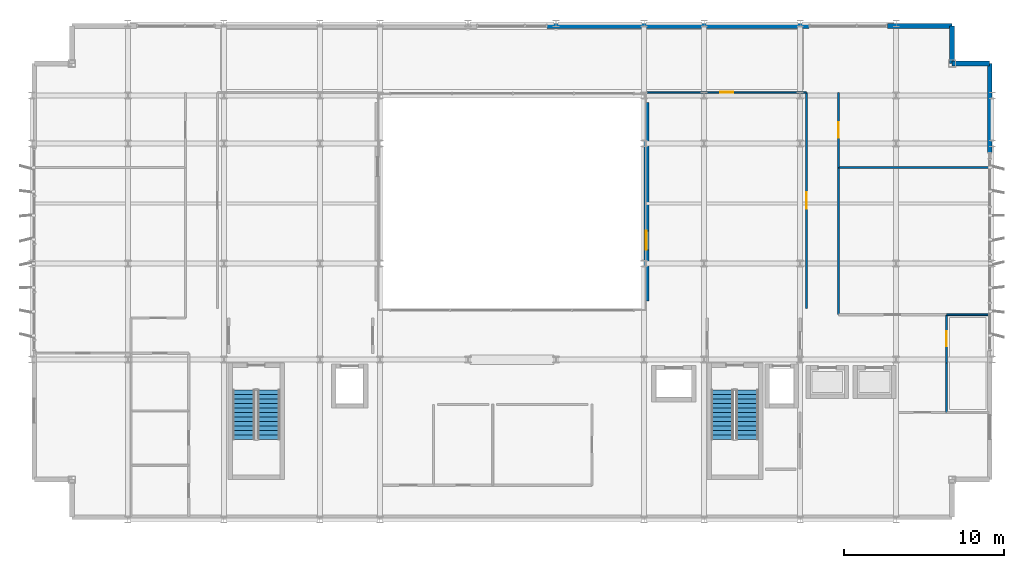
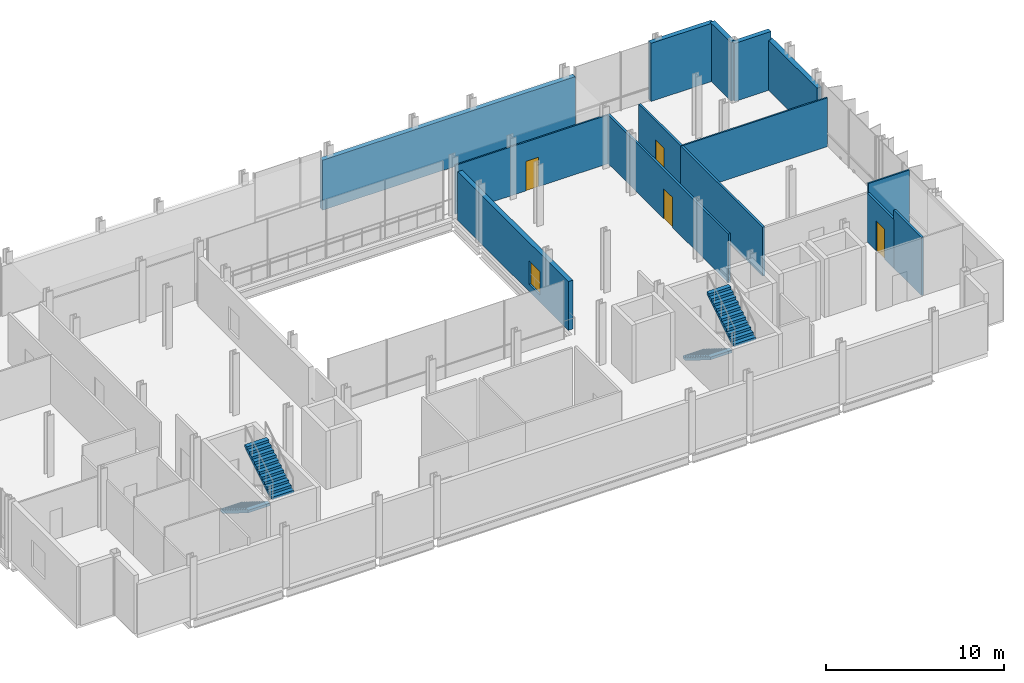
# One storey, part 26 of 32: 14 walls, 4 doors, 4 stair flights, 1 window, 5 openings, 2 elements without a shape of their own.
"""IFC4 building model written with IfcOpenShell, lengths in metres."""

from ifc_helpers import new_model, si_unit, direction, frame, frame_2d, origin, place, context, subcontext, project, spatial, polyline, rectangle, outline, extrude, material, layer, layer_set, type_object, element, fill, aggregate, save


model = new_model("IFC4")

# Units and contexts
model_context = context("Model", 3, precision=1e-05, world=origin(), true_north=direction((0.0, 1.0)))
body_context = subcontext(model_context, "Body", "Model", "MODEL_VIEW")
ifc_project = project(units=[si_unit("LENGTHUNIT", "METRE"), si_unit("AREAUNIT", "SQUARE_METRE"), si_unit("VOLUMEUNIT", "CUBIC_METRE"), si_unit("PLANEANGLEUNIT", "RADIAN"), si_unit("MASSUNIT", "GRAM", prefix="KILO")], contexts=[model_context])

# Site, building, storey
site_placement = place(None, origin())
site = spatial("IfcSite", under=ifc_project, at=site_placement, CompositionType="ELEMENT")
building_placement = place(site_placement, origin())
building = spatial("IfcBuilding", under=site, at=building_placement, Name="Brevholm Reach", CompositionType="ELEMENT")
storey_placement = place(building_placement, frame((0.0, 0.0, 134.5)))
storey = spatial("IfcBuildingStorey", under=building, at=storey_placement, Name="L40", CompositionType="ELEMENT", Elevation=134.5)

# Walls
ifc_material_1 = material(Name="Concrete C40/50", Category="concrete")
ifc_layer_1 = layer(ifc_material_1, 0.300048828125)
ifc_layer_set_1 = layer_set([ifc_layer_1], Name="Concrete C40/50")
wall_type_1 = type_object("IfcWallType", Name="WAL-EXT-300", PredefinedType="STANDARD", material=ifc_layer_set_1)
for number, where, z_axis, x_axis, name in (
    (1, (59.85009765625, 28.5, 0.0), (0.0, 0.0, 1.0), (-1.0, 0.0, 0.0), "L40 Facade Wall WAL-L40-CNE1"),
    (2, (57.5, 28.5, 0.0), (0.0, 0.0, 1.0), (0.0, 1.0, 0.0), "L40 Facade Wall WAL-L40-CNE2"),
):
    element("IfcWall", number, at=place(storey_placement, frame(where, z_axis=z_axis, x_axis=x_axis)), inside=storey, type_object=wall_type_1, Name=name, PredefinedType="STANDARD", context=body_context, shape_type="SweptSolid", body=[
        extrude(rectangle(XDim=2.35009765625, YDim=0.300048828125, at=frame_2d((1.175048828125, 0.0))), origin(), (0.0, 0.0, 1.0), 3.97998046875),
    ])
wall_1_placement = place(storey_placement, frame((59.85009765625, 22.949951171875, 0.0), z_axis=(0.0, 0.0, 1.0), x_axis=(0.0, 1.0, 0.0)))
element("IfcWall", 3, at=wall_1_placement, inside=storey, type_object=wall_type_1, Name="L40 Facade Wall WAL-L40-E-N", PredefinedType="STANDARD", context=body_context, shape_type="SweptSolid", body=[
    extrude(rectangle(XDim=5.550048828125, YDim=0.300048828125, at=frame_2d((2.77490234375, 0.0))), origin(), (0.0, 0.0, 1.0), 3.421875),
])
wall_2_placement = place(storey_placement, frame((53.449951171875, 30.85009765625, 0.0), z_axis=(0.0, 0.0, 1.0), x_axis=(1.0, 0.0, 0.0)))
element("IfcWall", 4, at=wall_2_placement, inside=storey, type_object=wall_type_1, Name="L40 Facade Wall WAL-L40-NP-E0", PredefinedType="STANDARD", context=body_context, shape_type="SweptSolid", body=[
    extrude(rectangle(XDim=4.050048828125, YDim=0.300048828125, at=frame_2d((2.02490234375, 0.0))), origin(), (0.0, 0.0, 1.0), 3.97998046875),
])
wall_3_placement = place(storey_placement, frame((32.199951171875, 30.85009765625, 0.0), z_axis=(0.0, 0.0, 1.0), x_axis=(1.0, 0.0, 0.0)))
element("IfcWall", 5, at=wall_3_placement, inside=storey, type_object=wall_type_1, Name="L40 Facade Wall WAL-L40-NP-ER", PredefinedType="STANDARD", context=body_context, shape_type="SweptSolid", body=[
    extrude(rectangle(XDim=16.35009765625, YDim=0.300048828125, at=frame_2d((8.175048828125, 0.0))), origin(), (0.0, 0.0, 1.0), 3.421875),
])

# Wall, opening, window
wall_4_placement = place(storey_placement, frame((38.39990234375, 13.64990234375, 0.0), z_axis=(0.0, 0.0, 1.0), x_axis=(0.0, 1.0, 0.0)))
wall_4 = element("IfcWall", 6, at=wall_4_placement, inside=storey, type_object=wall_type_1, Name="L40 Facade Wall WAL-L40-AT-E", PredefinedType="STANDARD", context=body_context, shape_type="SweptSolid", body=[
    extrude(rectangle(XDim=12.400146484375, YDim=0.300048828125, at=frame_2d((6.2001953125, 0.0))), origin(), (0.0, 0.0, 1.0), 3.3427734375),
])
opening_1_placement = place(wall_4_placement, frame((3.199951171875, 0.0, 0.5)))
opening_1 = element("IfcOpeningElement", 7, at=opening_1_placement, cuts=wall_4, Name="Opening WN-08", PredefinedType="OPENING", context=body_context, shape_type="SweptSolid", body=[
    extrude(rectangle(XDim=1.199951171875, YDim=1.60009765625, at=frame_2d((0.60009765625, 0.800048828125))), frame((0.0, 0.159912109375, 0.0), z_axis=(0.0, -1.0, 0.0), x_axis=(1.0, 0.0, 0.0)), (0.0, 0.0, 1.0), 0.320068359375),
])
ifc_material_2 = material(Name="Dark Anodised Aluminium and Solar-Control IGU Glass", Category="aluminium")
window_type = type_object("IfcWindowType", Name="WIN-RES-1200", PartitioningType="SINGLE_PANEL", PredefinedType="WINDOW", material=ifc_material_2)
window_placement = place(opening_1_placement, origin())
window = element("IfcWindow", 8, at=window_placement, inside=storey, type_object=window_type, Name="L40 Window WIN-L40-AT-E1", OverallHeight=1.60009765625, OverallWidth=1.199951171875, PartitioningType="SINGLE_PANEL", PredefinedType="WINDOW", context=body_context, shape_type="SweptSolid", body=[
    extrude(rectangle(XDim=1.199951171875, YDim=1.60009765625, at=frame_2d((0.60009765625, 0.800048828125))), frame((0.0, 0.030029296875, 0.0), z_axis=(0.0, -1.0, 0.0), x_axis=(1.0, 0.0, 0.0)), (0.0, 0.0, 1.0), 0.06005859375),
])
fill(opening_1, window)

# Wall
ifc_material_3 = material(Name="Moisture-Resistant Acoustic Gypsum Stud Partition 100 mm", Category="gypsum")
ifc_layer_2 = layer(ifc_material_3, 0.10009765625)
ifc_layer_set_2 = layer_set([ifc_layer_2], Name="Moisture-Resistant Acoustic Gypsum Stud Partition 100 mm")
wall_type_2 = type_object("IfcWallType", Name="WAL-PRT-100", PredefinedType="PARTITIONING", material=ifc_layer_set_2)
wall_5_placement = place(storey_placement, frame((57.14990234375, 12.800048828125, 0.0), z_axis=(0.0, 0.0, 1.0), x_axis=(1.0, 0.0, 0.0)))
element("IfcWall", 9, at=wall_5_placement, inside=storey, type_object=wall_type_2, Name="L40 Internal Partition 009", PredefinedType="PARTITIONING", context=body_context, shape_type="SweptSolid", body=[
    extrude(rectangle(XDim=2.650146484375, YDim=0.10009765625, at=frame_2d((1.3251953125, 0.0))), origin(), (0.0, 0.0, 1.0), 3.97998046875),
])

# Wall, opening, door
wall_6_placement = place(storey_placement, frame((38.438720703125, 26.699951171875, 0.0), z_axis=(0.0, 0.0, 1.0), x_axis=(1.0, 0.0, 0.0)))
wall_6 = element("IfcWall", 10, at=wall_6_placement, inside=storey, type_object=wall_type_2, Name="L40 Internal Partition 037", PredefinedType="PARTITIONING", context=body_context, shape_type="SweptSolid", body=[
    extrude(rectangle(XDim=9.957275390625, YDim=0.10009765625, at=frame_2d((4.978515625, 0.0))), origin(), (0.0, 0.0, 1.0), 3.3427734375),
])
opening_2_placement = place(wall_6_placement, frame((4.568603515625, 0.0, 0.0)))
opening_2 = element("IfcOpeningElement", 11, at=opening_2_placement, cuts=wall_6, Name="Opening ID-03", PredefinedType="OPENING", context=body_context, shape_type="SweptSolid", body=[
    extrude(rectangle(XDim=0.820068359375, YDim=2.02001953125, at=frame_2d((0.41015625, 1.010009765625))), frame((0.0, 0.06005859375, 0.0), z_axis=(0.0, -1.0, 0.0), x_axis=(1.0, 0.0, 0.0)), (0.0, 0.0, 1.0), 0.1201171875),
])
ifc_material_4 = material(Name="Moisture-Resistant Painted Timber Internal Bathroom Door", Category="wood")
door_type_1 = type_object("IfcDoorType", Name="DOR-BATH-820", OperationType="NOTDEFINED", PredefinedType="DOOR", material=ifc_material_4)
door_1_placement = place(opening_2_placement, origin())
door_1 = element("IfcDoor", 12, at=door_1_placement, inside=storey, type_object=door_type_1, Name="L40 Access Door 020", OperationType="SINGLE_SWING_RIGHT", OverallHeight=2.02001953125, OverallWidth=0.820068359375, PredefinedType="DOOR", context=body_context, shape_type="SweptSolid", body=[
    extrude(rectangle(XDim=0.820068359375, YDim=2.02001953125, at=frame_2d((0.41015625, 1.010009765625))), frame((0.0, 0.02490234375, 0.0), z_axis=(0.0, -1.0, 0.0), x_axis=(1.0, 0.0, 0.0)), (0.0, 0.0, 1.0), 0.050048828125),
])
fill(opening_2, door_1)

# Wall
wall_7_placement = place(storey_placement, frame((50.404052734375, 22.0, 0.0), z_axis=(0.0, 0.0, 1.0), x_axis=(1.0, 0.0, 0.0)))
element("IfcWall", 13, at=wall_7_placement, inside=storey, type_object=wall_type_2, Name="L40 Internal Partition 038", PredefinedType="PARTITIONING", context=body_context, shape_type="SweptSolid", body=[
    extrude(rectangle(XDim=9.39599609375, YDim=0.10009765625, at=frame_2d((4.697998046875, 0.0))), origin(), (0.0, 0.0, 1.0), 3.3427734375),
])

# Wall, opening, door
ifc_material_5 = material(Name="Twin-Stud Acoustic Fire-Rated Gypsum Partition 140 mm", Category="gypsum")
ifc_layer_3 = layer(ifc_material_5, 0.139892578125)
ifc_layer_set_3 = layer_set([ifc_layer_3], Name="Twin-Stud Acoustic Fire-Rated Gypsum Partition 140 mm")
wall_type_3 = type_object("IfcWallType", Name="WAL-PRT-140", PredefinedType="PARTITIONING", material=ifc_layer_set_3)
wall_8_placement = place(storey_placement, frame((57.14990234375, 9.788818359375, 0.0), z_axis=(0.0, 0.0, 1.0), x_axis=(0.0, 1.0, 0.0)))
wall_8 = element("IfcWall", 14, at=wall_8_placement, inside=storey, type_object=wall_type_3, Name="L40 Internal Partition 008", PredefinedType="PARTITIONING", context=body_context, shape_type="SweptSolid", body=[
    extrude(rectangle(XDim=3.01123046875, YDim=0.139892578125, at=frame_2d((1.505615234375, 0.0))), origin(), (0.0, 0.0, 1.0), 3.3427734375),
])
opening_3_placement = place(wall_8_placement, frame((1.03076171875, 0.0, 0.0)))
opening_3 = element("IfcOpeningElement", 15, at=opening_3_placement, cuts=wall_8, Name="Opening ID-30", PredefinedType="OPENING", context=body_context, shape_type="SweptSolid", body=[
    extrude(rectangle(XDim=0.949951171875, YDim=2.050048828125, at=frame_2d((0.47509765625, 1.02490234375))), frame((0.0, 0.079833984375, 0.0), z_axis=(0.0, -1.0, 0.0), x_axis=(1.0, 0.0, 0.0)), (0.0, 0.0, 1.0), 0.159912109375),
])
ifc_material_6 = material(Name="European Oak Veneered Solid-Core Fire Entrance Door", Category="timber")
door_type_2 = type_object("IfcDoorType", Name="DOR-FLT-FD30S", OperationType="NOTDEFINED", PredefinedType="DOOR", material=ifc_material_6)
door_2_placement = place(opening_3_placement, origin())
door_2 = element("IfcDoor", 16, at=door_2_placement, inside=storey, type_object=door_type_2, Name="L40 Internal Door 004", OperationType="SINGLE_SWING_RIGHT", OverallHeight=2.050048828125, OverallWidth=0.949951171875, PredefinedType="DOOR", context=body_context, shape_type="SweptSolid", body=[
    extrude(rectangle(XDim=0.949951171875, YDim=2.050048828125, at=frame_2d((0.47509765625, 1.02490234375))), frame((0.0, 0.02490234375, 0.0), z_axis=(0.0, -1.0, 0.0), x_axis=(1.0, 0.0, 0.0)), (0.0, 0.0, 1.0), 0.050048828125),
])
fill(opening_3, door_2)

# Wall
wall_9_placement = place(storey_placement, frame((57.14990234375, 6.699951171875, 0.0), z_axis=(0.0, 0.0, 1.0), x_axis=(0.0, 1.0, 0.0)))
element("IfcWall", 17, at=wall_9_placement, inside=storey, type_object=wall_type_3, Name="L40 Internal Partition 010", PredefinedType="PARTITIONING", context=body_context, shape_type="SweptSolid", body=[
    extrude(rectangle(XDim=3.107421875, YDim=0.139892578125, at=frame_2d((1.5537109375, 0.0))), origin(), (0.0, 0.0, 1.0), 3.97998046875),
])

# Wall, opening, door
wall_10_placement = place(storey_placement, frame((48.39990234375, 13.188720703125, 0.0), z_axis=(0.0, 0.0, 1.0), x_axis=(0.0, 1.0, 0.0)))
wall_10 = element("IfcWall", 18, at=wall_10_placement, inside=storey, type_object=wall_type_3, Name="L40 Internal Partition 023", PredefinedType="PARTITIONING", context=body_context, shape_type="SweptSolid", body=[
    extrude(rectangle(XDim=13.51123046875, YDim=0.139892578125, at=frame_2d((6.755615234375, 0.0))), origin(), (0.0, 0.0, 1.0), 3.3427734375),
])
opening_4_placement = place(wall_10_placement, frame((6.230712890625, 0.0, 0.0)))
opening_4 = element("IfcOpeningElement", 19, at=opening_4_placement, cuts=wall_10, Name="Opening FD-01", PredefinedType="OPENING", context=body_context, shape_type="SweptSolid", body=[
    extrude(rectangle(XDim=1.050048828125, YDim=2.06005859375, at=frame_2d((0.52490234375, 1.030029296875))), frame((0.0, 0.079833984375, 0.0), z_axis=(0.0, -1.0, 0.0), x_axis=(1.0, 0.0, 0.0)), (0.0, 0.0, 1.0), 0.159912109375),
])
ifc_material_7 = material(Name="Hardwood-Lipped Steel-Core Fire and Smoke Door", Category="steel")
door_type_3 = type_object("IfcDoorType", Name="DOR-INT-FD60S", OperationType="NOTDEFINED", PredefinedType="DOOR", material=ifc_material_7)
door_3_placement = place(opening_4_placement, origin())
door_3 = element("IfcDoor", 20, at=door_3_placement, inside=storey, type_object=door_type_3, Name="L40 Internal Door 014", OperationType="SINGLE_SWING_RIGHT", OverallHeight=2.06005859375, OverallWidth=1.050048828125, PredefinedType="DOOR", context=body_context, shape_type="SweptSolid", body=[
    extrude(rectangle(XDim=1.050048828125, YDim=2.06005859375, at=frame_2d((0.52490234375, 1.030029296875))), frame((0.0, 0.02490234375, 0.0), z_axis=(0.0, -1.0, 0.0), x_axis=(1.0, 0.0, 0.0)), (0.0, 0.0, 1.0), 0.050048828125),
])
fill(opening_4, door_3)

# Wall
wall_11_placement = place(storey_placement, frame((50.39990234375, 12.803955078125, 0.0), z_axis=(0.0, 0.0, 1.0), x_axis=(0.0, 1.0, 0.0)))
element("IfcWall", 21, at=wall_11_placement, inside=storey, type_object=wall_type_3, Name="L40 Internal Partition 024", PredefinedType="PARTITIONING", context=body_context, shape_type="SweptSolid", body=[
    extrude(rectangle(XDim=9.207275390625, YDim=0.139892578125, at=frame_2d((4.603515625, 0.0))), origin(), (0.0, 0.0, 1.0), 3.3427734375),
])

# Wall, opening, door
wall_12_placement = place(storey_placement, frame((50.39990234375, 21.99267578125, 0.0), z_axis=(0.0, 0.0, 1.0), x_axis=(0.0, 1.0, 0.0)))
wall_12 = element("IfcWall", 22, at=wall_12_placement, inside=storey, type_object=wall_type_3, Name="L40 Internal Partition 025", PredefinedType="PARTITIONING", context=body_context, shape_type="SweptSolid", body=[
    extrude(rectangle(XDim=4.707275390625, YDim=0.139892578125, at=frame_2d((2.353515625, 0.0))), origin(), (0.0, 0.0, 1.0), 3.3427734375),
])
opening_5_placement = place(wall_12_placement, frame((1.878662109375, 0.0, 0.0)))
opening_5 = element("IfcOpeningElement", 23, at=opening_5_placement, cuts=wall_12, Name="Opening ID-30", PredefinedType="OPENING", context=body_context, shape_type="SweptSolid", body=[
    extrude(rectangle(XDim=0.949951171875, YDim=2.050048828125, at=frame_2d((0.47509765625, 1.02490234375))), frame((0.0, 0.079833984375, 0.0), z_axis=(0.0, -1.0, 0.0), x_axis=(1.0, 0.0, 0.0)), (0.0, 0.0, 1.0), 0.159912109375),
])
door_4_placement = place(opening_5_placement, origin())
door_4 = element("IfcDoor", 24, at=door_4_placement, inside=storey, type_object=door_type_2, Name="L40 Internal Door 015", OperationType="SINGLE_SWING_LEFT", OverallHeight=2.050048828125, OverallWidth=0.949951171875, PredefinedType="DOOR", context=body_context, shape_type="SweptSolid", body=[
    extrude(rectangle(XDim=0.949951171875, YDim=2.050048828125, at=frame_2d((0.47509765625, 1.02490234375))), frame((0.0, 0.02490234375, 0.0), z_axis=(0.0, -1.0, 0.0), x_axis=(1.0, 0.0, 0.0)), (0.0, 0.0, 1.0), 0.050048828125),
])
fill(opening_5, door_4)

# Stair, stair flights
ifc_material_8 = material(Name="Precast Concrete C40/50", Category="concrete")
stair_type = type_object("IfcStairType", Name="STR-ESC-1400", PredefinedType="DOUBLE_RETURN_STAIR", material=ifc_material_8)
stair_1_placement = place(storey_placement, origin())
stair_1 = element("IfcStair", 25, at=stair_1_placement, inside=storey, type_object=stair_type, Name="L40 ST-1", PredefinedType="DOUBLE_RETURN_STAIR")
ifc_material_9 = material(Name="Precast Concrete C40/50", Category="concrete")
ifc_layer_4 = layer(ifc_material_9, 0.18505859375)
ifc_layer_set_4 = layer_set([ifc_layer_4], Name="Precast Concrete C40/50")
stair_flight_type = type_object("IfcStairFlightType", Name="STF-PRC-185", PredefinedType="STRAIGHT", material=ifc_layer_set_4)
stair_flight_1_placement = place(storey_placement, frame((13.25, 8.10009765625, 0.0), z_axis=(0.0, 0.0, 1.0), x_axis=(0.0, -1.0, 0.0)))
stair_flight_1 = element("IfcStairFlight", 26, at=stair_flight_1_placement, type_object=stair_flight_type, Name="ST-1 flight 1", NumberOfRisers=12, NumberOfTreads=11, PredefinedType="STRAIGHT", RiserHeight=0.175, TreadLength=0.28, context=body_context, shape_type="SweptSolid", body=[
    extrude(outline(polyline([(0.0, 0.0), (0.0, 0.175048828125), (0.280029296875, 0.175048828125), (0.280029296875, 0.35009765625), (0.56005859375, 0.35009765625), (0.56005859375, 0.52490234375), (0.840087890625, 0.52490234375), (0.840087890625, 0.699951171875), (1.1201171875, 0.699951171875), (1.1201171875, 0.875), (1.39990234375, 0.875), (1.39990234375, 1.050048828125), (1.679931640625, 1.050048828125), (1.679931640625, 1.22509765625), (1.9599609375, 1.22509765625), (1.9599609375, 1.39990234375), (2.239990234375, 1.39990234375), (2.239990234375, 1.574951171875), (2.52001953125, 1.574951171875), (2.52001953125, 1.75), (2.800048828125, 1.75), (2.800048828125, 1.925048828125), (3.080078125, 1.925048828125), (3.080078125, 2.10009765625), (3.080078125, 1.748291015625), (0.28271484375, 0.0), (0.0, 0.0)])), frame((0.0, 0.699951171875, 0.0), z_axis=(0.0, -1.0, 0.0), x_axis=(1.0, 0.0, 0.0)), (0.0, 0.0, 1.0), 1.39990234375),
])
stair_flight_2_placement = place(storey_placement, frame((14.800048828125, 5.02001953125, 2.10009765625), z_axis=(0.0, 0.0, 1.0), x_axis=(0.0, 1.0, 0.0)))
stair_flight_2 = element("IfcStairFlight", 27, at=stair_flight_2_placement, type_object=stair_flight_type, Name="ST-1 flight 2", NumberOfRisers=12, NumberOfTreads=11, PredefinedType="STRAIGHT", RiserHeight=0.175, TreadLength=0.28, context=body_context, shape_type="SweptSolid", body=[
    extrude(outline(polyline([(0.0, 0.0), (0.0, 0.175048828125), (0.280029296875, 0.175048828125), (0.280029296875, 0.35009765625), (0.56005859375, 0.35009765625), (0.56005859375, 0.52490234375), (0.840087890625, 0.52490234375), (0.840087890625, 0.699951171875), (1.1201171875, 0.699951171875), (1.1201171875, 0.875), (1.39990234375, 0.875), (1.39990234375, 1.050048828125), (1.679931640625, 1.050048828125), (1.679931640625, 1.22509765625), (1.9599609375, 1.22509765625), (1.9599609375, 1.39990234375), (2.239990234375, 1.39990234375), (2.239990234375, 1.574951171875), (2.52001953125, 1.574951171875), (2.52001953125, 1.75), (2.800048828125, 1.75), (2.800048828125, 1.925048828125), (3.080078125, 1.925048828125), (3.080078125, 2.10009765625), (3.080078125, 1.748291015625), (0.28271484375, 0.0), (0.0, 0.0)])), frame((0.0, 0.699951171875, 0.0), z_axis=(0.0, -1.0, 0.0), x_axis=(1.0, 0.0, 0.0)), (0.0, 0.0, 1.0), 1.39990234375),
])
aggregate(stair_1, [stair_flight_1, stair_flight_2])

stair_2_placement = place(storey_placement, origin())
stair_2 = element("IfcStair", 28, at=stair_2_placement, inside=storey, type_object=stair_type, Name="L40 ST-2", PredefinedType="DOUBLE_RETURN_STAIR")
stair_flight_3_placement = place(storey_placement, frame((43.14990234375, 8.10009765625, 0.0), z_axis=(0.0, 0.0, 1.0), x_axis=(0.0, -1.0, 0.0)))
stair_flight_3 = element("IfcStairFlight", 29, at=stair_flight_3_placement, type_object=stair_flight_type, Name="ST-2 flight 1", NumberOfRisers=12, NumberOfTreads=11, PredefinedType="STRAIGHT", RiserHeight=0.175, TreadLength=0.28, context=body_context, shape_type="SweptSolid", body=[
    extrude(outline(polyline([(0.0, 0.0), (0.0, 0.175048828125), (0.280029296875, 0.175048828125), (0.280029296875, 0.35009765625), (0.56005859375, 0.35009765625), (0.56005859375, 0.52490234375), (0.840087890625, 0.52490234375), (0.840087890625, 0.699951171875), (1.1201171875, 0.699951171875), (1.1201171875, 0.875), (1.39990234375, 0.875), (1.39990234375, 1.050048828125), (1.679931640625, 1.050048828125), (1.679931640625, 1.22509765625), (1.9599609375, 1.22509765625), (1.9599609375, 1.39990234375), (2.239990234375, 1.39990234375), (2.239990234375, 1.574951171875), (2.52001953125, 1.574951171875), (2.52001953125, 1.75), (2.800048828125, 1.75), (2.800048828125, 1.925048828125), (3.080078125, 1.925048828125), (3.080078125, 2.10009765625), (3.080078125, 1.748291015625), (0.28271484375, 0.0), (0.0, 0.0)])), frame((0.0, 0.699951171875, 0.0), z_axis=(0.0, -1.0, 0.0), x_axis=(1.0, 0.0, 0.0)), (0.0, 0.0, 1.0), 1.39990234375),
])
stair_flight_4_placement = place(storey_placement, frame((44.699951171875, 5.02001953125, 2.10009765625), z_axis=(0.0, 0.0, 1.0), x_axis=(0.0, 1.0, 0.0)))
stair_flight_4 = element("IfcStairFlight", 30, at=stair_flight_4_placement, type_object=stair_flight_type, Name="ST-2 flight 2", NumberOfRisers=12, NumberOfTreads=11, PredefinedType="STRAIGHT", RiserHeight=0.175, TreadLength=0.28, context=body_context, shape_type="SweptSolid", body=[
    extrude(outline(polyline([(0.0, 0.0), (0.0, 0.175048828125), (0.280029296875, 0.175048828125), (0.280029296875, 0.35009765625), (0.56005859375, 0.35009765625), (0.56005859375, 0.52490234375), (0.840087890625, 0.52490234375), (0.840087890625, 0.699951171875), (1.1201171875, 0.699951171875), (1.1201171875, 0.875), (1.39990234375, 0.875), (1.39990234375, 1.050048828125), (1.679931640625, 1.050048828125), (1.679931640625, 1.22509765625), (1.9599609375, 1.22509765625), (1.9599609375, 1.39990234375), (2.239990234375, 1.39990234375), (2.239990234375, 1.574951171875), (2.52001953125, 1.574951171875), (2.52001953125, 1.75), (2.800048828125, 1.75), (2.800048828125, 1.925048828125), (3.080078125, 1.925048828125), (3.080078125, 2.10009765625), (3.080078125, 1.748291015625), (0.28271484375, 0.0), (0.0, 0.0)])), frame((0.0, 0.699951171875, 0.0), z_axis=(0.0, -1.0, 0.0), x_axis=(1.0, 0.0, 0.0)), (0.0, 0.0, 1.0), 1.39990234375),
])
aggregate(stair_2, [stair_flight_3, stair_flight_4])

save(model, "model.ifc")
